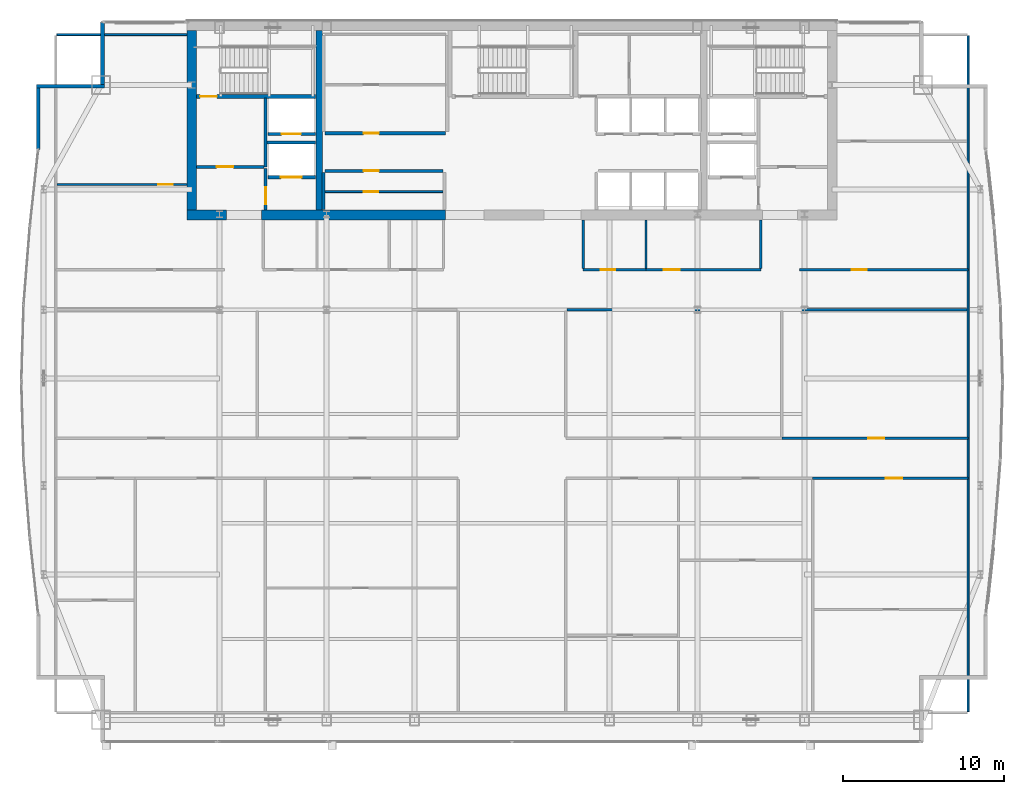
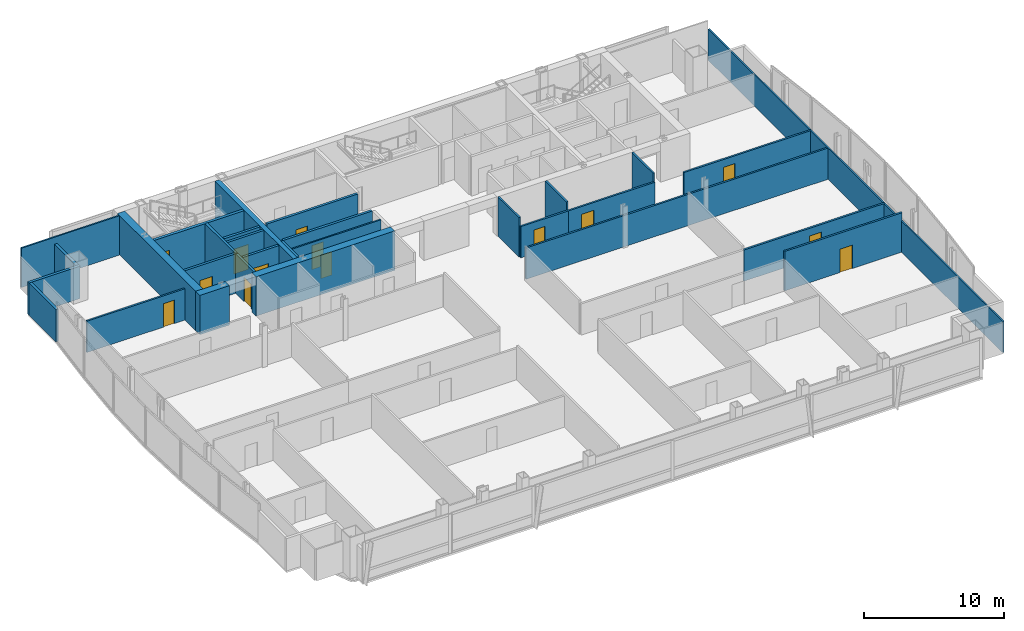
# One storey, part 28 of 32: 30 walls, 14 doors, 14 openings.
"""IFC4 building model written with IfcOpenShell, lengths in metres."""

from ifc_helpers import new_model, si_unit, direction, frame, frame_2d, origin, place, context, subcontext, project, spatial, rectangle, extrude, material, layer, layer_set, type_object, element, fill, save


model = new_model("IFC4")

# Units and contexts
model_context = context("Model", 3, precision=1e-05, world=origin(), true_north=direction((0.0, 1.0)))
body_context = subcontext(model_context, "Body", "Model", "MODEL_VIEW")
ifc_project = project(units=[si_unit("LENGTHUNIT", "METRE"), si_unit("AREAUNIT", "SQUARE_METRE"), si_unit("VOLUMEUNIT", "CUBIC_METRE"), si_unit("PLANEANGLEUNIT", "RADIAN"), si_unit("MASSUNIT", "GRAM", prefix="KILO")], contexts=[model_context])

# Site, building, storey
site_placement = place(None, origin())
site = spatial("IfcSite", under=ifc_project, at=site_placement, CompositionType="ELEMENT")
building_placement = place(site_placement, origin())
building = spatial("IfcBuilding", under=site, at=building_placement, Name="Khoronbel Lancet Exchange", CompositionType="ELEMENT")
storey_placement = place(building_placement, frame((0.0, 0.0, 195.800048828125)))
storey = spatial("IfcBuildingStorey", under=building, at=storey_placement, Name="L49", CompositionType="ELEMENT", Elevation=195.800048828125)

# Walls
ifc_material_1 = material(Name="Concrete C60/75", Category="concrete")
ifc_layer_1 = layer(ifc_material_1, 0.60009765625, Name="Concrete C60/75")
ifc_layer_set_1 = layer_set([ifc_layer_1], Name="Concrete C60/75")
wall_type_1 = type_object("IfcWallType", Name="WL-CW3", PredefinedType="SHEAR", material=ifc_layer_set_1)
wall_1_placement = place(storey_placement, frame((16.5, 41.89990234375, 0.0), z_axis=(0.0, 0.0, 1.0), x_axis=(0.0, 1.0, 0.0)))
element("IfcWall", 1, at=wall_1_placement, inside=storey, type_object=wall_type_1, Name="Level L49 rear core west shear wall", PredefinedType="SHEAR", context=body_context, shape_type="SweptSolid", body=[
    extrude(rectangle(XDim=11.2001953125, YDim=0.60009765625, at=frame_2d((5.60009765625, 0.0))), origin(), (0.0, 0.0, 1.0), 3.43994140625),
])
wall_2_placement = place(storey_placement, frame((18.64990234375, 41.60009765625, 0.0), z_axis=(0.0, 0.0, 1.0), x_axis=(-1.0, 0.0, 0.0)))
element("IfcWall", 2, at=wall_2_placement, inside=storey, type_object=wall_type_1, Name="Level L49 rear core south shear wall pier P1", PredefinedType="SHEAR", context=body_context, shape_type="SweptSolid", body=[
    extrude(rectangle(XDim=2.449951171875, YDim=0.60009765625, at=frame_2d((1.22509765625, 0.0))), origin(), (0.0, 0.0, 1.0), 3.43994140625),
])
wall_3_placement = place(storey_placement, frame((32.300048828125, 41.60009765625, 0.0), z_axis=(0.0, 0.0, 1.0), x_axis=(-1.0, 0.0, 0.0)))
element("IfcWall", 3, at=wall_3_placement, inside=storey, type_object=wall_type_1, Name="Level L49 rear core south shear wall pier P2", PredefinedType="SHEAR", context=body_context, shape_type="SweptSolid", body=[
    extrude(rectangle(XDim=11.449951171875, YDim=0.60009765625, at=frame_2d((5.72509765625, 0.0))), origin(), (0.0, 0.0, 1.0), 3.43994140625),
])
ifc_material_2 = material(Name="Precast concrete C40/50", Category="concrete")
ifc_layer_2 = layer(ifc_material_2, 0.25, Name="Precast concrete C40/50")
ifc_layer_set_2 = layer_set([ifc_layer_2], Name="Precast concrete C40/50")
wall_type_2 = type_object("IfcWallType", Name="WL-EXT250", PredefinedType="SOLIDWALL", material=ifc_layer_set_2)
wall_4_placement = place(storey_placement, frame((6.93994140625, 45.675048828125, 0.0), z_axis=(0.0, 0.0, 1.0), x_axis=(0.0, 1.0, 0.0)))
element("IfcWall", 4, at=wall_4_placement, inside=storey, type_object=wall_type_2, Name="Level L49 notched-corner limestone pier 10", PredefinedType="SOLIDWALL", context=body_context, shape_type="SweptSolid", body=[
    extrude(rectangle(XDim=3.824951171875, YDim=0.219970703125, at=frame_2d((1.91259765625, 0.0))), origin(), (0.0, 0.0, 1.0), 2.829833984375),
])
wall_5_placement = place(storey_placement, frame((6.830078125, 49.610107421875, 0.0), z_axis=(0.0, 0.0, 1.0), x_axis=(1.0, 0.0, 0.0)))
element("IfcWall", 5, at=wall_5_placement, inside=storey, type_object=wall_type_2, Name="Level L49 notched-corner limestone pier 11", PredefinedType="SOLIDWALL", context=body_context, shape_type="SweptSolid", body=[
    extrude(rectangle(XDim=4.219970703125, YDim=0.219970703125, at=frame_2d((2.10986328125, 0.0))), origin(), (0.0, 0.0, 1.0), 2.829833984375),
])
wall_6_placement = place(storey_placement, frame((10.93994140625, 49.719970703125, 0.0), z_axis=(0.0, 0.0, 1.0), x_axis=(0.0, 1.0, 0.0)))
element("IfcWall", 6, at=wall_6_placement, inside=storey, type_object=wall_type_2, Name="Level L49 notched-corner limestone pier 12", PredefinedType="SOLIDWALL", context=body_context, shape_type="SweptSolid", body=[
    extrude(rectangle(XDim=3.909912109375, YDim=0.219970703125, at=frame_2d((1.955078125, 0.0))), origin(), (0.0, 0.0, 1.0), 2.829833984375),
])
ifc_material_3 = material(Name="Acoustic Metal-Stud & Mineral-Wool Gypsum Partition 120 mm", Category="gypsum")
ifc_layer_3 = layer(ifc_material_3, 0.1201171875, Name="Acoustic Metal-Stud & Mineral-Wool Gypsum Partition 120 mm")
ifc_layer_set_3 = layer_set([ifc_layer_3], Name="Acoustic Metal-Stud & Mineral-Wool Gypsum Partition 120 mm")
wall_type_3 = type_object("IfcWallType", Name="WL-PRT120", PredefinedType="PARTITIONING", material=ifc_layer_set_3)
for number, where, z_axis, x_axis, name in (
    (7, (40.8798828125, 38.280029296875, 0.0), (0.0, 0.0, 1.0), (0.0, 1.0, 0.0), "Level L49 interior partition PW-NP-0"),
    (8, (44.800048828125, 38.280029296875, 0.0), (0.0, 0.0, 1.0), (0.0, 1.0, 0.0), "Level L49 interior partition PW-NP-M"),
    (9, (51.949951171875, 38.280029296875, 0.0), (0.0, 0.0, 1.0), (0.0, 1.0, 0.0), "Level L49 interior partition PW-NP-1"),
):
    element("IfcWall", number, at=place(storey_placement, frame(where, z_axis=z_axis, x_axis=x_axis)), inside=storey, type_object=wall_type_3, Name=name, PredefinedType="PARTITIONING", context=body_context, shape_type="SweptSolid", body=[
        extrude(rectangle(XDim=3.02001953125, YDim=0.14990234375, at=frame_2d((1.510009765625, 0.0))), origin(), (0.0, 0.0, 1.0), 3.43994140625),
    ])

# Wall, opening, door
wall_7_placement = place(storey_placement, frame((8.094970703125, 43.5, 0.0), z_axis=(0.0, 0.0, 1.0), x_axis=(1.0, 0.0, 0.0)))
wall_7 = element("IfcWall", 10, at=wall_7_placement, inside=storey, type_object=wall_type_3, Name="Level L49 interior partition PW-NW-H", PredefinedType="PARTITIONING", context=body_context, shape_type="SweptSolid", body=[
    extrude(rectangle(XDim=8.10498046875, YDim=0.14990234375, at=frame_2d((4.052490234375, 0.0))), origin(), (0.0, 0.0, 1.0), 2.72998046875),
])
opening_1_placement = place(wall_7_placement, frame((6.320068359375, 0.0, 0.0)))
opening_1 = element("IfcOpeningElement", 11, at=opening_1_placement, cuts=wall_7, Name="Opening D5", PredefinedType="OPENING", context=body_context, shape_type="SweptSolid", body=[
    extrude(rectangle(XDim=0.89990234375, YDim=2.050048828125, at=frame_2d((0.449951171875, 1.02490234375))), frame((0.0, 0.0849609375, 0.0), z_axis=(0.0, -1.0, 0.0), x_axis=(1.0, 0.0, 0.0)), (0.0, 0.0, 1.0), 0.169921875),
])
ifc_material_4 = material(Name="Acoustic Timber Pantry & Support Door", Category="wood")
door_type_1 = type_object("IfcDoorType", Name="DR-D5", OperationType="NOTDEFINED", PredefinedType="DOOR", material=ifc_material_4)
door_1_placement = place(opening_1_placement, origin())
door_1 = element("IfcDoor", 12, at=door_1_placement, inside=storey, type_object=door_type_1, Name="NW north room door L49-1", OperationType="SINGLE_SWING_RIGHT", OverallHeight=2.050048828125, OverallWidth=0.89990234375, PredefinedType="DOOR", context=body_context, shape_type="SweptSolid", body=[
    extrude(rectangle(XDim=0.89990234375, YDim=2.050048828125, at=frame_2d((0.449951171875, 1.02490234375))), frame((0.0, 0.02490234375, 0.0), z_axis=(0.0, -1.0, 0.0), x_axis=(1.0, 0.0, 0.0)), (0.0, 0.0, 1.0), 0.050048828125),
])
fill(opening_1, door_1)

# Walls
wall_8_placement = place(storey_placement, frame((64.8701171875, 10.6650390625, 0.0), z_axis=(0.0, 0.0, 1.0), x_axis=(0.0, 1.0, 0.0)))
element("IfcWall", 13, at=wall_8_placement, inside=storey, type_object=wall_type_3, Name="Level L49 interior partition PW-LIN-E", PredefinedType="PARTITIONING", context=body_context, shape_type="SweptSolid", body=[
    extrude(rectangle(XDim=42.10986328125, YDim=0.1201171875, at=frame_2d((21.054931640625, 0.0))), origin(), (0.0, 0.0, 1.0), 2.72998046875),
])
wall_9_placement = place(storey_placement, frame((8.094970703125, 52.840087890625, 0.0), z_axis=(0.0, 0.0, 1.0), x_axis=(1.0, 0.0, 0.0)))
element("IfcWall", 14, at=wall_9_placement, inside=storey, type_object=wall_type_3, Name="Level L49 interior partition PW-LIN-NW", PredefinedType="PARTITIONING", context=body_context, shape_type="SweptSolid", body=[
    extrude(rectangle(XDim=8.10498046875, YDim=0.1201171875, at=frame_2d((4.052490234375, 0.0))), origin(), (0.0, 0.0, 1.0), 3.43994140625),
])

# Wall, opening, door
ifc_material_5 = material(Name="Fire-Rated Metal-Stud & Mineral-Wool Gypsum Partition 120 mm", Category="gypsum")
ifc_layer_4 = layer(ifc_material_5, 0.1201171875, Name="Fire-Rated Metal-Stud & Mineral-Wool Gypsum Partition 120 mm")
ifc_layer_set_4 = layer_set([ifc_layer_4], Name="Fire-Rated Metal-Stud & Mineral-Wool Gypsum Partition 120 mm")
wall_type_4 = type_object("IfcWallType", Name="WL-PRT120F", PredefinedType="PARTITIONING", material=ifc_layer_set_4)
wall_10_placement = place(storey_placement, frame((24.804931640625, 43.053955078125, 0.0), z_axis=(0.0, 0.0, 1.0), x_axis=(1.0, 0.0, 0.0)))
wall_10 = element("IfcWall", 15, at=wall_10_placement, inside=storey, type_object=wall_type_4, Name="Level L49 interior partition CW-PM-RH", PredefinedType="PARTITIONING", context=body_context, shape_type="SweptSolid", body=[
    extrude(rectangle(XDim=7.340087890625, YDim=0.1201171875, at=frame_2d((3.669921875, 0.0))), origin(), (0.0, 0.0, 1.0), 3.43994140625),
])
opening_2_placement = place(wall_10_placement, frame((2.39990234375, 0.0, 0.0)))
opening_2 = element("IfcOpeningElement", 16, at=opening_2_placement, cuts=wall_10, Name="Opening FD4", PredefinedType="OPENING", context=body_context, shape_type="SweptSolid", body=[
    extrude(rectangle(XDim=0.89990234375, YDim=2.050048828125, at=frame_2d((0.449951171875, 1.02490234375))), frame((0.0, 0.070068359375, 0.0), z_axis=(0.0, -1.0, 0.0), x_axis=(1.0, 0.0, 0.0)), (0.0, 0.0, 1.0), 0.14013671875),
])
ifc_material_6 = material(Name="Fire-Rated Steel Core Support Door Assembly", Category="steel")
door_type_2 = type_object("IfcDoorType", Name="DR-FD4", OperationType="NOTDEFINED", PredefinedType="DOOR", material=ifc_material_6)
door_2_placement = place(opening_2_placement, origin())
door_2 = element("IfcDoor", 17, at=door_2_placement, inside=storey, type_object=door_type_2, Name="Core PM inner store door L49-1", OperationType="SINGLE_SWING_LEFT", OverallHeight=2.050048828125, OverallWidth=0.89990234375, PredefinedType="DOOR", context=body_context, shape_type="SweptSolid", body=[
    extrude(rectangle(XDim=0.89990234375, YDim=2.050048828125, at=frame_2d((0.449951171875, 1.02490234375))), frame((0.0, 0.02490234375, 0.0), z_axis=(0.0, -1.0, 0.0), x_axis=(1.0, 0.0, 0.0)), (0.0, 0.0, 1.0), 0.050048828125),
])
fill(opening_2, door_2)

ifc_material_7 = material(Name="Fire-Rated Twin-Stud Acoustic Gypsum Partition 150 mm", Category="gypsum")
ifc_layer_5 = layer(ifc_material_7, 0.14990234375, Name="Fire-Rated Twin-Stud Acoustic Gypsum Partition 150 mm")
ifc_layer_set_5 = layer_set([ifc_layer_5], Name="Fire-Rated Twin-Stud Acoustic Gypsum Partition 150 mm")
wall_type_5 = type_object("IfcWallType", Name="WL-PRT150C", PredefinedType="PARTITIONING", material=ifc_layer_set_5)
wall_11_placement = place(storey_placement, frame((40.8798828125, 38.199951171875, 0.0), z_axis=(0.0, 0.0, 1.0), x_axis=(1.0, 0.0, 0.0)))
wall_11 = element("IfcWall", 18, at=wall_11_placement, inside=storey, type_object=wall_type_5, Name="Level L49 interior partition PW-NP-S1", PredefinedType="PARTITIONING", context=body_context, shape_type="SweptSolid", body=[
    extrude(rectangle(XDim=3.920166015625, YDim=0.14990234375, at=frame_2d((1.9599609375, 0.0))), origin(), (0.0, 0.0, 1.0), 2.72998046875),
])
opening_3_placement = place(wall_11_placement, frame((1.10009765625, 0.0, 0.0)))
opening_3 = element("IfcOpeningElement", 19, at=opening_3_placement, cuts=wall_11, Name="Opening D5", PredefinedType="OPENING", context=body_context, shape_type="SweptSolid", body=[
    extrude(rectangle(XDim=0.89990234375, YDim=2.050048828125, at=frame_2d((0.449951171875, 1.02490234375))), frame((0.0, 0.0849609375, 0.0), z_axis=(0.0, -1.0, 0.0), x_axis=(1.0, 0.0, 0.0)), (0.0, 0.0, 1.0), 0.169921875),
])
door_3_placement = place(opening_3_placement, origin())
door_3 = element("IfcDoor", 20, at=door_3_placement, inside=storey, type_object=door_type_1, Name="Floor refreshment pantry door L49-1", OperationType="SINGLE_SWING_RIGHT", OverallHeight=2.050048828125, OverallWidth=0.89990234375, PredefinedType="DOOR", context=body_context, shape_type="SweptSolid", body=[
    extrude(rectangle(XDim=0.89990234375, YDim=2.050048828125, at=frame_2d((0.449951171875, 1.02490234375))), frame((0.0, 0.02490234375, 0.0), z_axis=(0.0, -1.0, 0.0), x_axis=(1.0, 0.0, 0.0)), (0.0, 0.0, 1.0), 0.050048828125),
])
fill(opening_3, door_3)

wall_12_placement = place(storey_placement, frame((44.800048828125, 38.199951171875, 0.0), z_axis=(0.0, 0.0, 1.0), x_axis=(1.0, 0.0, 0.0)))
wall_12 = element("IfcWall", 21, at=wall_12_placement, inside=storey, type_object=wall_type_5, Name="Level L49 interior partition PW-NP-S2", PredefinedType="PARTITIONING", context=body_context, shape_type="SweptSolid", body=[
    extrude(rectangle(XDim=7.14990234375, YDim=0.14990234375, at=frame_2d((3.574951171875, 0.0))), origin(), (0.0, 0.0, 1.0), 2.72998046875),
])
opening_4_placement = place(wall_12_placement, frame((1.10009765625, 0.0, 0.0)))
opening_4 = element("IfcOpeningElement", 22, at=opening_4_placement, cuts=wall_12, Name="Opening D2", PredefinedType="OPENING", context=body_context, shape_type="SweptSolid", body=[
    extrude(rectangle(XDim=1.0, YDim=2.050048828125, at=frame_2d((0.5, 1.02490234375))), frame((0.0, 0.0849609375, 0.0), z_axis=(0.0, -1.0, 0.0), x_axis=(1.0, 0.0, 0.0)), (0.0, 0.0, 1.0), 0.169921875),
])
ifc_material_8 = material(Name="Acoustic Veneered Timber & Bronze Frame Door", Category="wood")
door_type_3 = type_object("IfcDoorType", Name="DR-D2", OperationType="NOTDEFINED", PredefinedType="DOOR", material=ifc_material_8)
door_4_placement = place(opening_4_placement, origin())
door_4 = element("IfcDoor", 23, at=door_4_placement, inside=storey, type_object=door_type_3, Name="Floor store door L49-1", OperationType="SINGLE_SWING_LEFT", OverallHeight=2.050048828125, OverallWidth=1.0, PredefinedType="DOOR", context=body_context, shape_type="SweptSolid", body=[
    extrude(rectangle(XDim=1.0, YDim=2.050048828125, at=frame_2d((0.5, 1.02490234375))), frame((0.0, 0.02490234375, 0.0), z_axis=(0.0, -1.0, 0.0), x_axis=(1.0, 0.0, 0.0)), (0.0, 0.0, 1.0), 0.050048828125),
])
fill(opening_4, door_4)

wall_13_placement = place(storey_placement, frame((54.35009765625, 38.199951171875, 0.0), z_axis=(0.0, 0.0, 1.0), x_axis=(1.0, 0.0, 0.0)))
wall_13 = element("IfcWall", 24, at=wall_13_placement, inside=storey, type_object=wall_type_5, Name="Level L49 interior partition PW-NE-S", PredefinedType="PARTITIONING", context=body_context, shape_type="SweptSolid", body=[
    extrude(rectangle(XDim=10.52001953125, YDim=0.14990234375, at=frame_2d((5.260009765625, 0.0))), origin(), (0.0, 0.0, 1.0), 2.72998046875),
])
opening_5_placement = place(wall_13_placement, frame((3.25, 0.0, 0.0)))
opening_5 = element("IfcOpeningElement", 25, at=opening_5_placement, cuts=wall_13, Name="Opening D1", PredefinedType="OPENING", context=body_context, shape_type="SweptSolid", body=[
    extrude(rectangle(XDim=0.949951171875, YDim=2.050048828125, at=frame_2d((0.47509765625, 1.02490234375))), frame((0.0, 0.0849609375, 0.0), z_axis=(0.0, -1.0, 0.0), x_axis=(1.0, 0.0, 0.0)), (0.0, 0.0, 1.0), 0.169921875),
])
door_type_4 = type_object("IfcDoorType", Name="DR-D1", OperationType="NOTDEFINED", PredefinedType="DOOR", material=ifc_material_8)
door_5_placement = place(opening_5_placement, origin())
door_5 = element("IfcDoor", 26, at=door_5_placement, inside=storey, type_object=door_type_4, Name="NE corner room door L49-1", OperationType="SINGLE_SWING_LEFT", OverallHeight=2.050048828125, OverallWidth=0.949951171875, PredefinedType="DOOR", context=body_context, shape_type="SweptSolid", body=[
    extrude(rectangle(XDim=0.949951171875, YDim=2.050048828125, at=frame_2d((0.47509765625, 1.02490234375))), frame((0.0, 0.02490234375, 0.0), z_axis=(0.0, -1.0, 0.0), x_axis=(1.0, 0.0, 0.0)), (0.0, 0.0, 1.0), 0.050048828125),
])
fill(opening_5, door_5)

# Wall
wall_14_placement = place(storey_placement, frame((39.8798828125, 35.699951171875, 0.0), z_axis=(0.0, 0.0, 1.0), x_axis=(1.0, 0.0, 0.0)))
element("IfcWall", 27, at=wall_14_placement, inside=storey, type_object=wall_type_5, Name="Level L49 interior partition PW-Z3-EN", PredefinedType="PARTITIONING", context=body_context, shape_type="SweptSolid", body=[
    extrude(rectangle(XDim=24.925048828125, YDim=0.14990234375, at=frame_2d((12.46240234375, 0.0))), origin(), (0.0, 0.0, 1.0), 2.72998046875),
])

# Wall, opening, door
ifc_material_9 = material(Name="Fire-Rated Twin-Stud Acoustic Gypsum Partition 160 mm", Category="gypsum")
ifc_layer_6 = layer(ifc_material_9, 0.159912109375, Name="Fire-Rated Twin-Stud Acoustic Gypsum Partition 160 mm")
ifc_layer_set_6 = layer_set([ifc_layer_6], Name="Fire-Rated Twin-Stud Acoustic Gypsum Partition 160 mm")
wall_type_6 = type_object("IfcWallType", Name="WL-PRT160C", PredefinedType="PARTITIONING", material=ifc_layer_set_6)
wall_15_placement = place(storey_placement, frame((55.17626953125, 25.199951171875, 0.0), z_axis=(0.0, 0.0, 1.0), x_axis=(1.0, 0.0, 0.0)))
wall_15 = element("IfcWall", 28, at=wall_15_placement, inside=storey, type_object=wall_type_6, Name="Level L49 interior partition PW-Z3SE-COR3", PredefinedType="PARTITIONING", context=body_context, shape_type="SweptSolid", body=[
    extrude(rectangle(XDim=9.69384765625, YDim=0.159912109375, at=frame_2d((4.846923828125, 0.0))), origin(), (0.0, 0.0, 1.0), 3.43994140625),
])
opening_6_placement = place(wall_15_placement, frame((4.5712890625, 0.0, 0.0)))
opening_6 = element("IfcOpeningElement", 29, at=opening_6_placement, cuts=wall_15, Name="Opening D2", PredefinedType="OPENING", context=body_context, shape_type="SweptSolid", body=[
    extrude(rectangle(XDim=1.0, YDim=2.050048828125, at=frame_2d((0.5, 1.02490234375))), frame((0.0, 0.08984375, 0.0), z_axis=(0.0, -1.0, 0.0), x_axis=(1.0, 0.0, 0.0)), (0.0, 0.0, 1.0), 0.179931640625),
])
door_6_placement = place(opening_6_placement, origin())
door_6 = element("IfcDoor", 30, at=door_6_placement, inside=storey, type_object=door_type_3, Name="Z3SE bay 3 door L49-1", OperationType="SINGLE_SWING_LEFT", OverallHeight=2.050048828125, OverallWidth=1.0, PredefinedType="DOOR", context=body_context, shape_type="SweptSolid", body=[
    extrude(rectangle(XDim=1.0, YDim=2.050048828125, at=frame_2d((0.5, 1.02490234375))), frame((0.0, 0.02490234375, 0.0), z_axis=(0.0, -1.0, 0.0), x_axis=(1.0, 0.0, 0.0)), (0.0, 0.0, 1.0), 0.050048828125),
])
fill(opening_6, door_6)

wall_16_placement = place(storey_placement, frame((53.263427734375, 27.699951171875, 0.0), z_axis=(0.0, 0.0, 1.0), x_axis=(1.0, 0.0, 0.0)))
wall_16 = element("IfcWall", 31, at=wall_16_placement, inside=storey, type_object=wall_type_6, Name="Level L49 interior partition PW-Z3NE-COR2", PredefinedType="PARTITIONING", context=body_context, shape_type="SweptSolid", body=[
    extrude(rectangle(XDim=11.606689453125, YDim=0.159912109375, at=frame_2d((5.80322265625, 0.0))), origin(), (0.0, 0.0, 1.0), 2.72998046875),
])
opening_7_placement = place(wall_16_placement, frame((5.374755859375, 0.0, 0.0)))
opening_7 = element("IfcOpeningElement", 32, at=opening_7_placement, cuts=wall_16, Name="Opening D2", PredefinedType="OPENING", context=body_context, shape_type="SweptSolid", body=[
    extrude(rectangle(XDim=1.0, YDim=2.050048828125, at=frame_2d((0.5, 1.02490234375))), frame((0.0, 0.08984375, 0.0), z_axis=(0.0, -1.0, 0.0), x_axis=(1.0, 0.0, 0.0)), (0.0, 0.0, 1.0), 0.179931640625),
])
door_7_placement = place(opening_7_placement, origin())
door_7 = element("IfcDoor", 33, at=door_7_placement, inside=storey, type_object=door_type_3, Name="Z3NE bay 2 door L49-1", OperationType="SINGLE_SWING_RIGHT", OverallHeight=2.050048828125, OverallWidth=1.0, PredefinedType="DOOR", context=body_context, shape_type="SweptSolid", body=[
    extrude(rectangle(XDim=1.0, YDim=2.050048828125, at=frame_2d((0.5, 1.02490234375))), frame((0.0, 0.02490234375, 0.0), z_axis=(0.0, -1.0, 0.0), x_axis=(1.0, 0.0, 0.0)), (0.0, 0.0, 1.0), 0.050048828125),
])
fill(opening_7, door_7)

ifc_material_10 = material(Name="Autoclaved Aerated Concrete Blockwork 200 mm", Category="masonry")
ifc_layer_7 = layer(ifc_material_10, 0.199951171875, Name="Autoclaved Aerated Concrete Blockwork 200 mm")
ifc_layer_set_7 = layer_set([ifc_layer_7], Name="Autoclaved Aerated Concrete Blockwork 200 mm")
wall_type_7 = type_object("IfcWallType", Name="WL-PRT200", PredefinedType="PARTITIONING", material=ifc_layer_set_7)
wall_17_placement = place(storey_placement, frame((24.2099609375, 43.949951171875, 0.0), z_axis=(0.0, 0.0, 1.0), x_axis=(-1.0, 0.0, 0.0)))
wall_17 = element("IfcWall", 34, at=wall_17_placement, inside=storey, type_object=wall_type_7, Name="Level L49 elevator hoistway landing front wall SVLW", PredefinedType="PARTITIONING", context=body_context, shape_type="SweptSolid", body=[
    extrude(rectangle(XDim=2.969970703125, YDim=0.199951171875, at=frame_2d((1.48486328125, 0.0))), origin(), (0.0, 0.0, 1.0), 3.43994140625),
])
opening_8_placement = place(wall_17_placement, frame((0.860107421875, 0.0, 0.0)))
opening_8 = element("IfcOpeningElement", 35, at=opening_8_placement, cuts=wall_17, Name="Opening LD-SVL1", PredefinedType="OPENING", context=body_context, shape_type="SweptSolid", body=[
    extrude(rectangle(XDim=1.300048828125, YDim=2.179931640625, at=frame_2d((0.64990234375, 1.08984375))), frame((0.0, 0.10986328125, 0.0), z_axis=(0.0, -1.0, 0.0), x_axis=(1.0, 0.0, 0.0)), (0.0, 0.0, 1.0), 0.219970703125),
])
ifc_material_11 = material(Name="Heavy-Duty Bi-Parting Goods Lift Landing Door", Category="steel")
door_type_5 = type_object("IfcDoorType", Name="DR-LD-SVL", OperationType="NOTDEFINED", PredefinedType="DOOR", material=ifc_material_11)
door_8_placement = place(opening_8_placement, origin())
door_8 = element("IfcDoor", 36, at=door_8_placement, inside=storey, type_object=door_type_5, Name="Elevator landing sliding door LD-SVL1 L49", OperationType="SLIDING_TO_LEFT", OverallHeight=2.179931640625, OverallWidth=1.300048828125, PredefinedType="DOOR", context=body_context, shape_type="SweptSolid", body=[
    extrude(rectangle(XDim=1.300048828125, YDim=2.179931640625, at=frame_2d((0.64990234375, 1.08984375))), frame((0.0, 0.02490234375, 0.0), z_axis=(0.0, -1.0, 0.0), x_axis=(1.0, 0.0, 0.0)), (0.0, 0.0, 1.0), 0.050048828125),
])
fill(opening_8, door_8)

wall_18_placement = place(storey_placement, frame((24.2099609375, 46.64990234375, 0.0), z_axis=(0.0, 0.0, 1.0), x_axis=(-1.0, 0.0, 0.0)))
wall_18 = element("IfcWall", 37, at=wall_18_placement, inside=storey, type_object=wall_type_7, Name="Level L49 elevator hoistway landing front wall FFLW", PredefinedType="PARTITIONING", context=body_context, shape_type="SweptSolid", body=[
    extrude(rectangle(XDim=2.969970703125, YDim=0.199951171875, at=frame_2d((1.48486328125, 0.0))), origin(), (0.0, 0.0, 1.0), 3.43994140625),
])
opening_9_placement = place(wall_18_placement, frame((0.909912109375, 0.0, 0.0)))
opening_9 = element("IfcOpeningElement", 38, at=opening_9_placement, cuts=wall_18, Name="Opening LD-FFL1", PredefinedType="OPENING", context=body_context, shape_type="SweptSolid", body=[
    extrude(rectangle(XDim=1.199951171875, YDim=2.179931640625, at=frame_2d((0.60009765625, 1.08984375))), frame((0.0, 0.10986328125, 0.0), z_axis=(0.0, -1.0, 0.0), x_axis=(1.0, 0.0, 0.0)), (0.0, 0.0, 1.0), 0.219970703125),
])
ifc_material_12 = material(Name="Fire-Rated Stainless Bi-Parting Firefighting Lift Door", Category="steel")
door_type_6 = type_object("IfcDoorType", Name="DR-LD-FFL", OperationType="NOTDEFINED", PredefinedType="DOOR", material=ifc_material_12)
door_9_placement = place(opening_9_placement, origin())
door_9 = element("IfcDoor", 39, at=door_9_placement, inside=storey, type_object=door_type_6, Name="Elevator landing sliding door LD-FFL1 L49", OperationType="SLIDING_TO_LEFT", OverallHeight=2.179931640625, OverallWidth=1.199951171875, PredefinedType="DOOR", context=body_context, shape_type="SweptSolid", body=[
    extrude(rectangle(XDim=1.199951171875, YDim=2.179931640625, at=frame_2d((0.60009765625, 1.08984375))), frame((0.0, 0.02490234375, 0.0), z_axis=(0.0, -1.0, 0.0), x_axis=(1.0, 0.0, 0.0)), (0.0, 0.0, 1.0), 0.050048828125),
])
fill(opening_9, door_9)

# Wall
wall_19_placement = place(storey_placement, frame((21.10009765625, 44.60009765625, 0.0), z_axis=(0.0, 0.0, 1.0), x_axis=(0.0, 1.0, 0.0)))
element("IfcWall", 40, at=wall_19_placement, inside=storey, type_object=wall_type_7, Name="Level L49 interior partition CW-FFLW-E", PredefinedType="PARTITIONING", context=body_context, shape_type="SweptSolid", body=[
    extrude(rectangle(XDim=4.2998046875, YDim=0.199951171875, at=frame_2d((2.14990234375, 0.0))), origin(), (0.0, 0.0, 1.0), 3.43994140625),
])

# Wall, opening, door
wall_20_placement = place(storey_placement, frame((16.800048828125, 44.60009765625, 0.0), z_axis=(0.0, 0.0, 1.0), x_axis=(1.0, 0.0, 0.0)))
wall_20 = element("IfcWall", 41, at=wall_20_placement, inside=storey, type_object=wall_type_7, Name="Level L49 interior partition CW-FFLW-S", PredefinedType="PARTITIONING", context=body_context, shape_type="SweptSolid", body=[
    extrude(rectangle(XDim=4.199951171875, YDim=0.199951171875, at=frame_2d((2.10009765625, 0.0))), origin(), (0.0, 0.0, 1.0), 3.43994140625),
])
opening_10_placement = place(wall_20_placement, frame((1.25, 0.0, 0.0)))
opening_10 = element("IfcOpeningElement", 42, at=opening_10_placement, cuts=wall_20, Name="Opening FD1", PredefinedType="OPENING", context=body_context, shape_type="SweptSolid", body=[
    extrude(rectangle(XDim=1.050048828125, YDim=2.14990234375, at=frame_2d((0.52490234375, 1.074951171875))), frame((0.0, 0.10986328125, 0.0), z_axis=(0.0, -1.0, 0.0), x_axis=(1.0, 0.0, 0.0)), (0.0, 0.0, 1.0), 0.219970703125),
])
ifc_material_13 = material(Name="Fire-Rated Painted Steel Door Assembly", Category="steel")
door_type_7 = type_object("IfcDoorType", Name="DR-FD1", OperationType="NOTDEFINED", PredefinedType="DOOR", material=ifc_material_13)
door_10_placement = place(opening_10_placement, origin())
door_10 = element("IfcDoor", 43, at=door_10_placement, inside=storey, type_object=door_type_7, Name="West firefighting lobby FD90S door L49-1", OperationType="SINGLE_SWING_LEFT", OverallHeight=2.14990234375, OverallWidth=1.050048828125, PredefinedType="DOOR", context=body_context, shape_type="SweptSolid", body=[
    extrude(rectangle(XDim=1.050048828125, YDim=2.14990234375, at=frame_2d((0.52490234375, 1.074951171875))), frame((0.0, 0.02490234375, 0.0), z_axis=(0.0, -1.0, 0.0), x_axis=(1.0, 0.0, 0.0)), (0.0, 0.0, 1.0), 0.050048828125),
])
fill(opening_10, door_10)

# Wall
wall_21_placement = place(storey_placement, frame((21.199951171875, 46.1201171875, 0.0), z_axis=(0.0, 0.0, 1.0), x_axis=(1.0, 0.0, 0.0)))
element("IfcWall", 44, at=wall_21_placement, inside=storey, type_object=wall_type_7, Name="Level L49 interior partition CW-FFL1-S", PredefinedType="PARTITIONING", context=body_context, shape_type="SweptSolid", body=[
    extrude(rectangle(XDim=3.02001953125, YDim=0.199951171875, at=frame_2d((1.510009765625, 0.0))), origin(), (0.0, 0.0, 1.0), 3.43994140625),
])

# Wall, opening, door
wall_22_placement = place(storey_placement, frame((21.10009765625, 41.89990234375, 0.0), z_axis=(0.0, 0.0, 1.0), x_axis=(0.0, 1.0, 0.0)))
wall_22 = element("IfcWall", 45, at=wall_22_placement, inside=storey, type_object=wall_type_7, Name="Level L49 interior partition CW-SVLW-W", PredefinedType="PARTITIONING", context=body_context, shape_type="SweptSolid", body=[
    extrude(rectangle(XDim=2.59521484375, YDim=0.199951171875, at=frame_2d((1.297607421875, 0.0))), origin(), (0.0, 0.0, 1.0), 3.43994140625),
])
opening_11_placement = place(wall_22_placement, frame((0.3798828125, 0.0, 0.0)))
opening_11 = element("IfcOpeningElement", 46, at=opening_11_placement, cuts=wall_22, Name="Opening FD1", PredefinedType="OPENING", context=body_context, shape_type="SweptSolid", body=[
    extrude(rectangle(XDim=1.050048828125, YDim=2.14990234375, at=frame_2d((0.52490234375, 1.074951171875))), frame((0.0, 0.10986328125, 0.0), z_axis=(0.0, -1.0, 0.0), x_axis=(1.0, 0.0, 0.0)), (0.0, 0.0, 1.0), 0.219970703125),
])
door_11_placement = place(opening_11_placement, origin())
door_11 = element("IfcDoor", 47, at=door_11_placement, inside=storey, type_object=door_type_7, Name="West service lift lobby door L49-1", OperationType="SINGLE_SWING_RIGHT", OverallHeight=2.14990234375, OverallWidth=1.050048828125, PredefinedType="DOOR", context=body_context, shape_type="SweptSolid", body=[
    extrude(rectangle(XDim=1.050048828125, YDim=2.14990234375, at=frame_2d((0.52490234375, 1.074951171875))), frame((0.0, 0.02490234375, 0.0), z_axis=(0.0, -1.0, 0.0), x_axis=(1.0, 0.0, 0.0)), (0.0, 0.0, 1.0), 0.050048828125),
])
fill(opening_11, door_11)

wall_23_placement = place(storey_placement, frame((24.804931640625, 46.699951171875, 0.0), z_axis=(0.0, 0.0, 1.0), x_axis=(1.0, 0.0, 0.0)))
wall_23 = element("IfcWall", 48, at=wall_23_placement, inside=storey, type_object=wall_type_7, Name="Level L49 interior partition CW-PL-RF", PredefinedType="PARTITIONING", context=body_context, shape_type="SweptSolid", body=[
    extrude(rectangle(XDim=7.510009765625, YDim=0.199951171875, at=frame_2d((3.7548828125, 0.0))), origin(), (0.0, 0.0, 1.0), 3.43994140625),
])
opening_12_placement = place(wall_23_placement, frame((2.39990234375, 0.0, 0.0)))
opening_12 = element("IfcOpeningElement", 49, at=opening_12_placement, cuts=wall_23, Name="Opening FD3", PredefinedType="OPENING", context=body_context, shape_type="SweptSolid", body=[
    extrude(rectangle(XDim=0.949951171875, YDim=2.10009765625, at=frame_2d((0.47509765625, 1.050048828125))), frame((0.0, 0.10986328125, 0.0), z_axis=(0.0, -1.0, 0.0), x_axis=(1.0, 0.0, 0.0)), (0.0, 0.0, 1.0), 0.219970703125),
])
ifc_material_14 = material(Name="Fire-Rated Steel Plant & Riser Door Assembly", Category="steel")
door_type_8 = type_object("IfcDoorType", Name="DR-FD3", OperationType="NOTDEFINED", PredefinedType="DOOR", material=ifc_material_14)
door_12_placement = place(opening_12_placement, origin())
door_12 = element("IfcDoor", 50, at=door_12_placement, inside=storey, type_object=door_type_8, Name="Core PL merged gallery room door L49-1", OperationType="SINGLE_SWING_RIGHT", OverallHeight=2.10009765625, OverallWidth=0.949951171875, PredefinedType="DOOR", context=body_context, shape_type="SweptSolid", body=[
    extrude(rectangle(XDim=0.949951171875, YDim=2.10009765625, at=frame_2d((0.47509765625, 1.050048828125))), frame((0.0, 0.02490234375, 0.0), z_axis=(0.0, -1.0, 0.0), x_axis=(1.0, 0.0, 0.0)), (0.0, 0.0, 1.0), 0.050048828125),
])
fill(opening_12, door_12)

# Wall
wall_24_placement = place(storey_placement, frame((24.699951171875, 41.949951171875, 0.0), z_axis=(0.0, 0.0, 1.0), x_axis=(0.0, 1.0, 0.0)))
element("IfcWall", 51, at=wall_24_placement, inside=storey, type_object=wall_type_7, Name="Level L49 interior partition CW-PM-RW", PredefinedType="PARTITIONING", context=body_context, shape_type="SweptSolid", body=[
    extrude(rectangle(XDim=2.295166015625, YDim=0.199951171875, at=frame_2d((1.1474609375, 0.0))), origin(), (0.0, 0.0, 1.0), 3.43994140625),
])

# Wall, opening, door
wall_25_placement = place(storey_placement, frame((24.804931640625, 44.35009765625, 0.0), z_axis=(0.0, 0.0, 1.0), x_axis=(1.0, 0.0, 0.0)))
wall_25 = element("IfcWall", 52, at=wall_25_placement, inside=storey, type_object=wall_type_7, Name="Level L49 interior partition CW-PM-RF", PredefinedType="PARTITIONING", context=body_context, shape_type="SweptSolid", body=[
    extrude(rectangle(XDim=7.340087890625, YDim=0.199951171875, at=frame_2d((3.669921875, 0.0))), origin(), (0.0, 0.0, 1.0), 3.43994140625),
])
opening_13_placement = place(wall_25_placement, frame((2.39990234375, 0.0, 0.0)))
opening_13 = element("IfcOpeningElement", 53, at=opening_13_placement, cuts=wall_25, Name="Opening FD3", PredefinedType="OPENING", context=body_context, shape_type="SweptSolid", body=[
    extrude(rectangle(XDim=0.949951171875, YDim=2.10009765625, at=frame_2d((0.47509765625, 1.050048828125))), frame((0.0, 0.10986328125, 0.0), z_axis=(0.0, -1.0, 0.0), x_axis=(1.0, 0.0, 0.0)), (0.0, 0.0, 1.0), 0.219970703125),
])
door_13_placement = place(opening_13_placement, origin())
door_13 = element("IfcDoor", 54, at=door_13_placement, inside=storey, type_object=door_type_8, Name="Core PM merged gallery room door L49-1", OperationType="SINGLE_SWING_RIGHT", OverallHeight=2.10009765625, OverallWidth=0.949951171875, PredefinedType="DOOR", context=body_context, shape_type="SweptSolid", body=[
    extrude(rectangle(XDim=0.949951171875, YDim=2.10009765625, at=frame_2d((0.47509765625, 1.050048828125))), frame((0.0, 0.02490234375, 0.0), z_axis=(0.0, -1.0, 0.0), x_axis=(1.0, 0.0, 0.0)), (0.0, 0.0, 1.0), 0.050048828125),
])
fill(opening_13, door_13)

# Wall
ifc_layer_8 = layer(ifc_material_1, 0.39990234375, Name="Concrete C60/75")
ifc_layer_set_8 = layer_set([ifc_layer_8], Name="Concrete C60/75")
wall_type_8 = type_object("IfcWallType", Name="WL-SW2", PredefinedType="SHEAR", material=ifc_layer_set_8)
wall_26_placement = place(storey_placement, frame((24.449951171875, 41.89990234375, 0.0), z_axis=(0.0, 0.0, 1.0), x_axis=(0.0, 1.0, 0.0)))
element("IfcWall", 55, at=wall_26_placement, inside=storey, type_object=wall_type_8, Name="Level L49 rear core internal spine shear wall IW", PredefinedType="SHEAR", context=body_context, shape_type="SweptSolid", body=[
    extrude(rectangle(XDim=11.2001953125, YDim=0.39990234375, at=frame_2d((5.60009765625, 0.0))), origin(), (0.0, 0.0, 1.0), 3.43994140625),
])

# Wall, opening, door
ifc_layer_9 = layer(ifc_material_1, 0.260009765625, Name="Concrete C60/75")
ifc_layer_set_9 = layer_set([ifc_layer_9], Name="Concrete C60/75")
wall_type_9 = type_object("IfcWallType", Name="WL-SW3", PredefinedType="SHEAR", material=ifc_layer_set_9)
wall_27_placement = place(storey_placement, frame((16.800048828125, 48.97998046875, 0.0), z_axis=(0.0, 0.0, 1.0), x_axis=(1.0, 0.0, 0.0)))
wall_27 = element("IfcWall", 56, at=wall_27_placement, inside=storey, type_object=wall_type_9, Name="Level L49 west stairwell structural south wall", PredefinedType="SHEAR", context=body_context, shape_type="SweptSolid", body=[
    extrude(rectangle(XDim=7.419921875, YDim=0.239990234375, at=frame_2d((3.7099609375, 0.0))), origin(), (0.0, 0.0, 1.0), 3.43994140625),
])
opening_14_placement = place(wall_27_placement, frame((0.219970703125, 0.0, 0.0)))
opening_14 = element("IfcOpeningElement", 57, at=opening_14_placement, cuts=wall_27, Name="Opening SD1", PredefinedType="OPENING", context=body_context, shape_type="SweptSolid", body=[
    extrude(rectangle(XDim=1.050048828125, YDim=2.14990234375, at=frame_2d((0.52490234375, 1.074951171875))), frame((0.0, 0.1298828125, 0.0), z_axis=(0.0, -1.0, 0.0), x_axis=(1.0, 0.0, 0.0)), (0.0, 0.0, 1.0), 0.260009765625),
])
ifc_material_15 = material(Name="Fire-Rated Steel Stairwell Door Assembly", Category="steel")
door_type_9 = type_object("IfcDoorType", Name="DR-SD1", OperationType="NOTDEFINED", PredefinedType="DOOR", material=ifc_material_15)
door_14_placement = place(opening_14_placement, origin())
door_14 = element("IfcDoor", 58, at=door_14_placement, inside=storey, type_object=door_type_9, Name="Protected exit stair ST1 door L49", OperationType="SINGLE_SWING_LEFT", OverallHeight=2.14990234375, OverallWidth=1.050048828125, PredefinedType="DOOR", context=body_context, shape_type="SweptSolid", body=[
    extrude(rectangle(XDim=1.050048828125, YDim=2.14990234375, at=frame_2d((0.52490234375, 1.074951171875))), frame((0.0, 0.02490234375, 0.0), z_axis=(0.0, -1.0, 0.0), x_axis=(1.0, 0.0, 0.0)), (0.0, 0.0, 1.0), 0.050048828125),
])
fill(opening_14, door_14)

save(model, "model.ifc")
